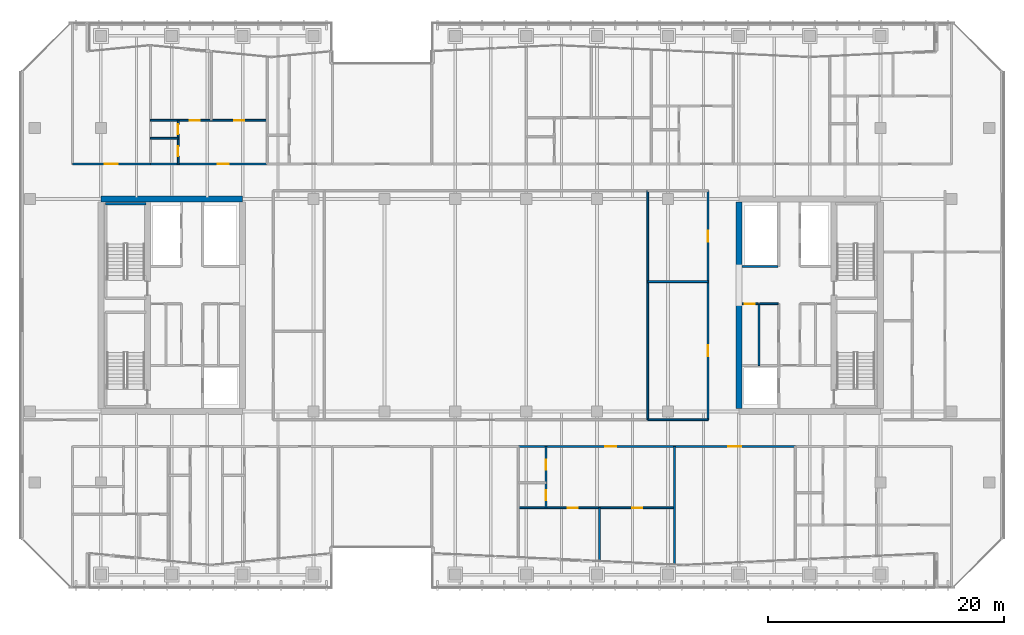
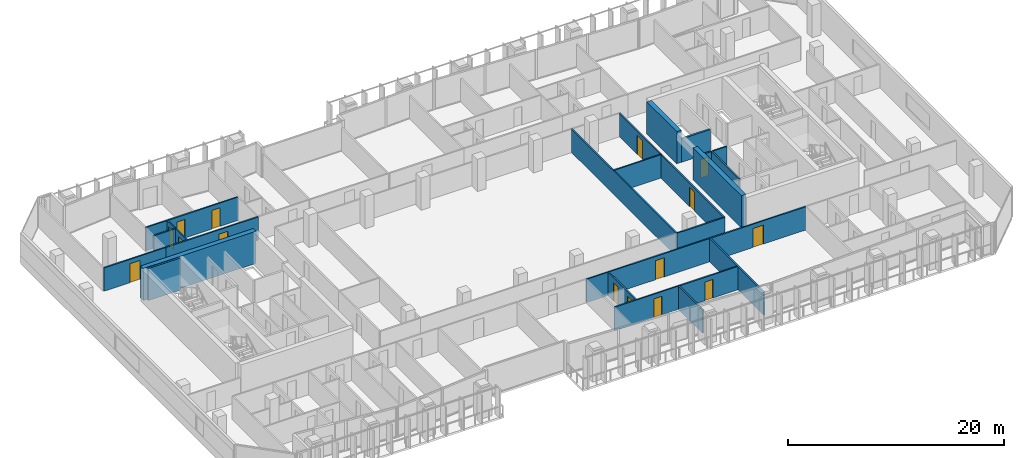
# One storey, part 29 of 39: 24 walls, 15 doors, 15 openings.
"""IFC4 building model written with IfcOpenShell, lengths in metres."""

from ifc_helpers import new_model, si_unit, direction, frame, frame_2d, origin, place, context, subcontext, project, spatial, rectangle, extrude, material, layer, layer_set, type_object, element, fill, save


model = new_model("IFC4")

# Units and contexts
model_context = context("Model", 3, precision=1e-05, world=origin(), true_north=direction((0.0, 1.0)))
body_context = subcontext(model_context, "Body", "Model", "MODEL_VIEW")
ifc_project = project(units=[si_unit("LENGTHUNIT", "METRE"), si_unit("AREAUNIT", "SQUARE_METRE"), si_unit("VOLUMEUNIT", "CUBIC_METRE"), si_unit("PLANEANGLEUNIT", "RADIAN"), si_unit("MASSUNIT", "GRAM", prefix="KILO")], contexts=[model_context])

# Site, building, storey
site_placement = place(None, origin())
site = spatial("IfcSite", under=ifc_project, at=site_placement, CompositionType="ELEMENT")
building_placement = place(site_placement, origin())
building = spatial("IfcBuilding", under=site, at=building_placement, Name="Tanjung Sevakor Pilgrim Tower", CompositionType="ELEMENT")
storey_placement = place(building_placement, frame((0.0, 0.0, 108.570068359375)))
storey = spatial("IfcBuildingStorey", under=building, at=storey_placement, Name="L30", CompositionType="ELEMENT", Elevation=108.570068359375)

# Walls
ifc_material_1 = material(Name="Concrete C60/75", Category="concrete")
ifc_layer_1 = layer(ifc_material_1, 0.5)
ifc_layer_set_1 = layer_set([ifc_layer_1], Name="WALL-CW-500")
wall_type_1 = type_object("IfcWallType", Name="WALL-CW-500", PredefinedType="SHEAR", material=ifc_layer_set_1)
wall_1_placement = place(storey_placement, frame((36.0, 42.60009765625, 0.0), z_axis=(0.0, 0.0, 1.0), x_axis=(-1.0, 0.0, 0.0)))
element("IfcWall", 1, at=wall_1_placement, inside=storey, type_object=wall_type_1, Name="L30 W Core North Shear Wall", PredefinedType="SHEAR", context=body_context, shape_type="SweptSolid", body=[
    extrude(rectangle(XDim=12.0, YDim=0.5, at=frame_2d((6.0, 0.0))), origin(), (0.0, 0.0, 1.0), 3.6298828125),
])
wall_2_placement = place(storey_placement, frame((78.0, 24.85009765625, 0.0), z_axis=(0.0, 0.0, 1.0), x_axis=(0.0, 1.0, 0.0)))
element("IfcWall", 2, at=wall_2_placement, inside=storey, type_object=wall_type_1, Name="L30 E Core Inner Shear Wall South", PredefinedType="SHEAR", context=body_context, shape_type="SweptSolid", body=[
    extrude(rectangle(XDim=8.949951171875, YDim=0.5, at=frame_2d((4.47509765625, 0.0))), origin(), (0.0, 0.0, 1.0), 3.6298828125),
])
wall_3_placement = place(storey_placement, frame((78.0, 36.800048828125, 0.0), z_axis=(0.0, 0.0, 1.0), x_axis=(0.0, 1.0, 0.0)))
element("IfcWall", 3, at=wall_3_placement, inside=storey, type_object=wall_type_1, Name="L30 E Core Inner Shear Wall North", PredefinedType="SHEAR", context=body_context, shape_type="SweptSolid", body=[
    extrude(rectangle(XDim=5.550048828125, YDim=0.5, at=frame_2d((2.77490234375, 0.0))), origin(), (0.0, 0.0, 1.0), 3.6298828125),
])
ifc_material_2 = material(Name="Concrete C40/50", Category="concrete")
ifc_layer_2 = layer(ifc_material_2, 0.14990234375)
ifc_layer_set_2 = layer_set([ifc_layer_2], Name="WT-COMP-150")
wall_type_2 = type_object("IfcWallType", Name="WT-COMP-150", PredefinedType="SOLIDWALL", material=ifc_layer_set_2)
wall_4_placement = place(storey_placement, frame((79.699951171875, 28.5, 0.0), z_axis=(0.0, 0.0, 1.0), x_axis=(0.0, 1.0, 0.0)))
element("IfcWall", 4, at=wall_4_placement, inside=storey, type_object=wall_type_2, Name="L30 Partition IW-L30-021", PredefinedType="SOLIDWALL", context=body_context, shape_type="SweptSolid", body=[
    extrude(rectangle(XDim=5.219970703125, YDim=0.14990234375, at=frame_2d((2.60986328125, 0.0))), origin(), (0.0, 0.0, 1.0), 2.6298828125),
])
wall_5_placement = place(storey_placement, frame((79.760009765625, 33.719970703125, 0.0), z_axis=(0.0, 0.0, 1.0), x_axis=(1.0, 0.0, 0.0)))
element("IfcWall", 5, at=wall_5_placement, inside=storey, type_object=wall_type_2, Name="L30 Partition IW-L30-022", PredefinedType="SOLIDWALL", context=body_context, shape_type="SweptSolid", body=[
    extrude(rectangle(XDim=1.56005859375, YDim=0.14990234375, at=frame_2d((0.780029296875, 0.0))), origin(), (0.0, 0.0, 1.0), 2.6298828125),
])

# Wall, opening, door
wall_6_placement = place(storey_placement, frame((78.27001953125, 33.719970703125, 0.0), z_axis=(0.0, 0.0, 1.0), x_axis=(1.0, 0.0, 0.0)))
wall_6 = element("IfcWall", 6, at=wall_6_placement, inside=storey, type_object=wall_type_2, Name="L30 Partition IW-L30-023", PredefinedType="SOLIDWALL", context=body_context, shape_type="SweptSolid", body=[
    extrude(rectangle(XDim=1.369873046875, YDim=0.14990234375, at=frame_2d((0.68505859375, 0.0))), origin(), (0.0, 0.0, 1.0), 2.6298828125),
])
opening_1_placement = place(wall_6_placement, frame((0.239990234375, 0.0, 0.0)))
opening_1 = element("IfcOpeningElement", 7, at=opening_1_placement, cuts=wall_6, Name="Opening ID-FD3", PredefinedType="OPENING", context=body_context, shape_type="SweptSolid", body=[
    extrude(rectangle(XDim=0.85009765625, YDim=2.10009765625, at=frame_2d((0.425048828125, 1.050048828125))), frame((0.0, 0.0849609375, 0.0), z_axis=(0.0, -1.0, 0.0), x_axis=(1.0, 0.0, 0.0)), (0.0, 0.0, 1.0), 0.169921875),
])
ifc_material_3 = material(Name="Fire-Rated Timber", Category="wood")
door_type_1 = type_object("IfcDoorType", Name="DT-FIRE-850", OperationType="NOTDEFINED", PredefinedType="DOOR", material=ifc_material_3)
door_1_placement = place(opening_1_placement, origin())
door_1 = element("IfcDoor", 8, at=door_1_placement, inside=storey, type_object=door_type_1, Name="L30 Service Store Door", OperationType="SINGLE_SWING_RIGHT", OverallHeight=2.10009765625, OverallWidth=0.85009765625, PredefinedType="DOOR", context=body_context, shape_type="SweptSolid", body=[
    extrude(rectangle(XDim=0.85009765625, YDim=2.10009765625, at=frame_2d((0.425048828125, 1.050048828125))), frame((0.0, 0.02490234375, 0.0), z_axis=(0.0, -1.0, 0.0), x_axis=(1.0, 0.0, 0.0)), (0.0, 0.0, 1.0), 0.050048828125),
])
fill(opening_1, door_1)

# Walls
wall_7_placement = place(storey_placement, frame((70.300048828125, 23.89990234375, 0.0), z_axis=(0.0, 0.0, 1.0), x_axis=(0.0, 1.0, 0.0)))
element("IfcWall", 9, at=wall_7_placement, inside=storey, type_object=wall_type_2, Name="L30 Partition IW-L30-037", PredefinedType="SOLIDWALL", context=body_context, shape_type="SweptSolid", body=[
    extrude(rectangle(XDim=19.400146484375, YDim=0.14990234375, at=frame_2d((9.7001953125, 0.0))), origin(), (0.0, 0.0, 1.0), 2.6298828125),
])
for number, where, z_axis, x_axis, name in (
    (10, (70.300048828125, 23.89990234375, 0.0), (0.0, 0.0, 1.0), (1.0, 0.0, 0.0), "L30 Partition IW-L30-038"),
    (11, (70.300048828125, 35.60009765625, 0.0), (0.0, 0.0, 1.0), (1.0, 0.0, 0.0), "L30 Partition IW-L30-039"),
):
    element("IfcWall", number, at=place(storey_placement, frame(where, z_axis=z_axis, x_axis=x_axis)), inside=storey, type_object=wall_type_2, Name=name, PredefinedType="SOLIDWALL", context=body_context, shape_type="SweptSolid", body=[
        extrude(rectangle(XDim=5.099853515625, YDim=0.14990234375, at=frame_2d((2.5498046875, 0.0))), origin(), (0.0, 0.0, 1.0), 2.6298828125),
    ])

# Wall, opening, door
wall_8_placement = place(storey_placement, frame((75.39990234375, 23.89990234375, 0.0), z_axis=(0.0, 0.0, 1.0), x_axis=(0.0, 1.0, 0.0)))
wall_8 = element("IfcWall", 12, at=wall_8_placement, inside=storey, type_object=wall_type_2, Name="L30 Partition IW-L30-040", PredefinedType="SOLIDWALL", context=body_context, shape_type="SweptSolid", body=[
    extrude(rectangle(XDim=11.7001953125, YDim=0.14990234375, at=frame_2d((5.85009765625, 0.0))), origin(), (0.0, 0.0, 1.0), 2.6298828125),
])
opening_2_placement = place(wall_8_placement, frame((5.375, 0.0, 0.0)))
opening_2 = element("IfcOpeningElement", 13, at=opening_2_placement, cuts=wall_8, Name="Opening ID-RM1", PredefinedType="OPENING", context=body_context, shape_type="SweptSolid", body=[
    extrude(rectangle(XDim=0.949951171875, YDim=2.14990234375, at=frame_2d((0.47509765625, 1.074951171875))), frame((0.0, 0.0849609375, 0.0), z_axis=(0.0, -1.0, 0.0), x_axis=(1.0, 0.0, 0.0)), (0.0, 0.0, 1.0), 0.169921875),
])
ifc_material_4 = material(Name="Hardwood Timber", Category="wood")
door_type_2 = type_object("IfcDoorType", Name="DT-INT-950", OperationType="NOTDEFINED", PredefinedType="DOOR", material=ifc_material_4)
door_2_placement = place(opening_2_placement, origin())
door_2 = element("IfcDoor", 14, at=door_2_placement, inside=storey, type_object=door_type_2, Name="L30 Female Ablution Door", OperationType="SINGLE_SWING_LEFT", OverallHeight=2.14990234375, OverallWidth=0.949951171875, PredefinedType="DOOR", context=body_context, shape_type="SweptSolid", body=[
    extrude(rectangle(XDim=0.949951171875, YDim=2.14990234375, at=frame_2d((0.47509765625, 1.074951171875))), frame((0.0, 0.02490234375, 0.0), z_axis=(0.0, -1.0, 0.0), x_axis=(1.0, 0.0, 0.0)), (0.0, 0.0, 1.0), 0.050048828125),
])
fill(opening_2, door_2)

wall_9_placement = place(storey_placement, frame((75.39990234375, 35.60009765625, 0.0), z_axis=(0.0, 0.0, 1.0), x_axis=(0.0, 1.0, 0.0)))
wall_9 = element("IfcWall", 15, at=wall_9_placement, inside=storey, type_object=wall_type_2, Name="L30 Partition IW-L30-042", PredefinedType="SOLIDWALL", context=body_context, shape_type="SweptSolid", body=[
    extrude(rectangle(XDim=7.699951171875, YDim=0.14990234375, at=frame_2d((3.85009765625, 0.0))), origin(), (0.0, 0.0, 1.0), 2.6298828125),
])
opening_3_placement = place(wall_9_placement, frame((3.375, 0.0, 0.0)))
opening_3 = element("IfcOpeningElement", 16, at=opening_3_placement, cuts=wall_9, Name="Opening ID-RM1", PredefinedType="OPENING", context=body_context, shape_type="SweptSolid", body=[
    extrude(rectangle(XDim=0.949951171875, YDim=2.14990234375, at=frame_2d((0.47509765625, 1.074951171875))), frame((0.0, 0.0849609375, 0.0), z_axis=(0.0, -1.0, 0.0), x_axis=(1.0, 0.0, 0.0)), (0.0, 0.0, 1.0), 0.169921875),
])
door_3_placement = place(opening_3_placement, origin())
door_3 = element("IfcDoor", 17, at=door_3_placement, inside=storey, type_object=door_type_2, Name="L30 Female Washroom Door", OperationType="SINGLE_SWING_RIGHT", OverallHeight=2.14990234375, OverallWidth=0.949951171875, PredefinedType="DOOR", context=body_context, shape_type="SweptSolid", body=[
    extrude(rectangle(XDim=0.949951171875, YDim=2.14990234375, at=frame_2d((0.47509765625, 1.074951171875))), frame((0.0, 0.02490234375, 0.0), z_axis=(0.0, -1.0, 0.0), x_axis=(1.0, 0.0, 0.0)), (0.0, 0.0, 1.0), 0.050048828125),
])
fill(opening_3, door_3)

# Wall
wall_10_placement = place(storey_placement, frame((72.557373046875, 11.639892578125, 0.0), z_axis=(0.0, 0.0, 1.0), x_axis=(0.0, 1.0, 0.0)))
element("IfcWall", 18, at=wall_10_placement, inside=storey, type_object=wall_type_2, Name="L30 Partition IW-L30-075", PredefinedType="SOLIDWALL", context=body_context, shape_type="SweptSolid", body=[
    extrude(rectangle(XDim=10.010009765625, YDim=0.14990234375, at=frame_2d((5.0048828125, 0.0))), origin(), (0.0, 0.0, 1.0), 2.6298828125),
])

# Wall, opening, door
wall_11_placement = place(storey_placement, frame((59.333251953125, 21.64990234375, 0.0), z_axis=(0.0, 0.0, 1.0), x_axis=(1.0, 0.0, 0.0)))
wall_11 = element("IfcWall", 19, at=wall_11_placement, inside=storey, type_object=wall_type_2, Name="L30 Partition IW-L30-080", PredefinedType="SOLIDWALL", context=body_context, shape_type="SweptSolid", body=[
    extrude(rectangle(XDim=13.22412109375, YDim=0.14990234375, at=frame_2d((6.612060546875, 0.0))), origin(), (0.0, 0.0, 1.0), 2.6298828125),
])
opening_4_placement = place(wall_11_placement, frame((7.35205078125, 0.0, 0.0)))
opening_4 = element("IfcOpeningElement", 20, at=opening_4_placement, cuts=wall_11, Name="Opening ID-FD2", PredefinedType="OPENING", context=body_context, shape_type="SweptSolid", body=[
    extrude(rectangle(XDim=0.949951171875, YDim=2.14990234375, at=frame_2d((0.47509765625, 1.074951171875))), frame((0.0, 0.0849609375, 0.0), z_axis=(0.0, -1.0, 0.0), x_axis=(1.0, 0.0, 0.0)), (0.0, 0.0, 1.0), 0.169921875),
])
ifc_material_5 = material(Name="Fire-Rated Timber", Category="wood")
door_type_3 = type_object("IfcDoorType", Name="DT-FIRE-950", OperationType="NOTDEFINED", PredefinedType="DOOR", material=ifc_material_5)
door_4_placement = place(opening_4_placement, origin())
door_4 = element("IfcDoor", 21, at=door_4_placement, inside=storey, type_object=door_type_3, Name="Suite Entrance", OperationType="SINGLE_SWING_LEFT", OverallHeight=2.14990234375, OverallWidth=0.949951171875, PredefinedType="DOOR", context=body_context, shape_type="SweptSolid", body=[
    extrude(rectangle(XDim=0.949951171875, YDim=2.14990234375, at=frame_2d((0.47509765625, 1.074951171875))), frame((0.0, 0.02490234375, 0.0), z_axis=(0.0, -1.0, 0.0), x_axis=(1.0, 0.0, 0.0)), (0.0, 0.0, 1.0), 0.050048828125),
])
fill(opening_4, door_4)

wall_12_placement = place(storey_placement, frame((72.557373046875, 21.64990234375, 0.0), z_axis=(0.0, 0.0, 1.0), x_axis=(1.0, 0.0, 0.0)))
wall_12 = element("IfcWall", 22, at=wall_12_placement, inside=storey, type_object=wall_type_2, Name="L30 Partition IW-L30-082", PredefinedType="SOLIDWALL", context=body_context, shape_type="SweptSolid", body=[
    extrude(rectangle(XDim=10.218505859375, YDim=0.14990234375, at=frame_2d((5.109375, 0.0))), origin(), (0.0, 0.0, 1.0), 2.6298828125),
])
opening_5_placement = place(wall_12_placement, frame((4.559326171875, 0.0, 0.0)))
opening_5 = element("IfcOpeningElement", 23, at=opening_5_placement, cuts=wall_12, Name="Opening ID-FD0", PredefinedType="OPENING", context=body_context, shape_type="SweptSolid", body=[
    extrude(rectangle(XDim=1.10009765625, YDim=2.14990234375, at=frame_2d((0.550048828125, 1.074951171875))), frame((0.0, 0.0849609375, 0.0), z_axis=(0.0, -1.0, 0.0), x_axis=(1.0, 0.0, 0.0)), (0.0, 0.0, 1.0), 0.169921875),
])
ifc_material_6 = material(Name="Fire-Rated Steel S355J2", Category="steel")
door_type_4 = type_object("IfcDoorType", Name="DT-FIRE-1100", OperationType="NOTDEFINED", PredefinedType="DOOR", material=ifc_material_6)
door_5_placement = place(opening_5_placement, origin())
door_5 = element("IfcDoor", 24, at=door_5_placement, inside=storey, type_object=door_type_4, Name="Communal Lounge Door", OperationType="SINGLE_SWING_RIGHT", OverallHeight=2.14990234375, OverallWidth=1.10009765625, PredefinedType="DOOR", context=body_context, shape_type="SweptSolid", body=[
    extrude(rectangle(XDim=1.10009765625, YDim=2.14990234375, at=frame_2d((0.550048828125, 1.074951171875))), frame((0.0, 0.02490234375, 0.0), z_axis=(0.0, -1.0, 0.0), x_axis=(1.0, 0.0, 0.0)), (0.0, 0.0, 1.0), 0.050048828125),
])
fill(opening_5, door_5)

wall_13_placement = place(storey_placement, frame((21.60009765625, 45.550048828125, 0.0), z_axis=(0.0, 0.0, 1.0), x_axis=(1.0, 0.0, 0.0)))
wall_13 = element("IfcWall", 25, at=wall_13_placement, inside=storey, type_object=wall_type_2, Name="L30 Partition IW-L30-091", PredefinedType="SOLIDWALL", context=body_context, shape_type="SweptSolid", body=[
    extrude(rectangle(XDim=6.593994140625, YDim=0.14990234375, at=frame_2d((3.296875, 0.0))), origin(), (0.0, 0.0, 1.0), 2.6298828125),
])
opening_6_placement = place(wall_13_placement, frame((2.7470703125, 0.0, 0.0)))
opening_6 = element("IfcOpeningElement", 26, at=opening_6_placement, cuts=wall_13, Name="Opening ID-FD0", PredefinedType="OPENING", context=body_context, shape_type="SweptSolid", body=[
    extrude(rectangle(XDim=1.10009765625, YDim=2.14990234375, at=frame_2d((0.550048828125, 1.074951171875))), frame((0.0, 0.0849609375, 0.0), z_axis=(0.0, -1.0, 0.0), x_axis=(1.0, 0.0, 0.0)), (0.0, 0.0, 1.0), 0.169921875),
])
door_6_placement = place(opening_6_placement, origin())
door_6 = element("IfcDoor", 27, at=door_6_placement, inside=storey, type_object=door_type_4, Name="Seminar Room Door", OperationType="SINGLE_SWING_LEFT", OverallHeight=2.14990234375, OverallWidth=1.10009765625, PredefinedType="DOOR", context=body_context, shape_type="SweptSolid", body=[
    extrude(rectangle(XDim=1.10009765625, YDim=2.14990234375, at=frame_2d((0.550048828125, 1.074951171875))), frame((0.0, 0.02490234375, 0.0), z_axis=(0.0, -1.0, 0.0), x_axis=(1.0, 0.0, 0.0)), (0.0, 0.0, 1.0), 0.050048828125),
])
fill(opening_6, door_6)

wall_14_placement = place(storey_placement, frame((28.194091796875, 45.550048828125, 0.0), z_axis=(0.0, 0.0, 1.0), x_axis=(1.0, 0.0, 0.0)))
wall_14 = element("IfcWall", 28, at=wall_14_placement, inside=storey, type_object=wall_type_2, Name="L30 Partition IW-L30-097", PredefinedType="SOLIDWALL", context=body_context, shape_type="SweptSolid", body=[
    extrude(rectangle(XDim=9.890869140625, YDim=0.14990234375, at=frame_2d((4.9453125, 0.0))), origin(), (0.0, 0.0, 1.0), 2.6298828125),
])
opening_7_placement = place(wall_14_placement, frame((5.685546875, 0.0, 0.0)))
opening_7 = element("IfcOpeningElement", 29, at=opening_7_placement, cuts=wall_14, Name="Opening ID-FD2", PredefinedType="OPENING", context=body_context, shape_type="SweptSolid", body=[
    extrude(rectangle(XDim=0.949951171875, YDim=2.14990234375, at=frame_2d((0.47509765625, 1.074951171875))), frame((0.0, 0.0849609375, 0.0), z_axis=(0.0, -1.0, 0.0), x_axis=(1.0, 0.0, 0.0)), (0.0, 0.0, 1.0), 0.169921875),
])
door_7_placement = place(opening_7_placement, origin())
door_7 = element("IfcDoor", 30, at=door_7_placement, inside=storey, type_object=door_type_3, Name="Suite Entrance", OperationType="SINGLE_SWING_RIGHT", OverallHeight=2.14990234375, OverallWidth=0.949951171875, PredefinedType="DOOR", context=body_context, shape_type="SweptSolid", body=[
    extrude(rectangle(XDim=0.949951171875, YDim=2.14990234375, at=frame_2d((0.47509765625, 1.074951171875))), frame((0.0, 0.02490234375, 0.0), z_axis=(0.0, -1.0, 0.0), x_axis=(1.0, 0.0, 0.0)), (0.0, 0.0, 1.0), 0.050048828125),
])
fill(opening_7, door_7)

# Walls
ifc_material_7 = material(Name="Concrete C40/50", Category="concrete")
ifc_layer_3 = layer(ifc_material_7, 0.199951171875)
ifc_layer_set_3 = layer_set([ifc_layer_3], Name="WT-FIRE-200")
wall_type_3 = type_object("IfcWallType", Name="WT-FIRE-200", PredefinedType="SOLIDWALL", material=ifc_layer_set_3)
wall_15_placement = place(storey_placement, frame((27.800048828125, 42.199951171875, 0.0), z_axis=(0.0, 0.0, 1.0), x_axis=(-1.0, 0.0, 0.0)))
element("IfcWall", 31, at=wall_15_placement, inside=storey, type_object=wall_type_3, Name="L30 TS-W2 Shaft Wall 2", PredefinedType="SOLIDWALL", context=body_context, shape_type="SweptSolid", body=[
    extrude(rectangle(XDim=3.400146484375, YDim=0.199951171875, at=frame_2d((1.7001953125, 0.0))), origin(), (0.0, 0.0, 1.0), 3.6298828125),
])
ifc_material_8 = material(Name="Concrete C40/50", Category="concrete")
ifc_layer_4 = layer(ifc_material_8, 0.199951171875)
ifc_layer_set_4 = layer_set([ifc_layer_4], Name="WT-FPRT-200")
wall_type_4 = type_object("IfcWallType", Name="WT-FPRT-200", PredefinedType="SOLIDWALL", material=ifc_layer_set_4)
wall_16_placement = place(storey_placement, frame((78.27001953125, 36.8798828125, 0.0), z_axis=(0.0, 0.0, 1.0), x_axis=(1.0, 0.0, 0.0)))
element("IfcWall", 32, at=wall_16_placement, inside=storey, type_object=wall_type_4, Name="L30 Partition IW-L30-027", PredefinedType="SOLIDWALL", context=body_context, shape_type="SweptSolid", body=[
    extrude(rectangle(XDim=3.050048828125, YDim=0.199951171875, at=frame_2d((1.52490234375, 0.0))), origin(), (0.0, 0.0, 1.0), 2.6298828125),
])

# Wall, openings, doors
ifc_material_9 = material(Name="Gypsum Board Partition", Category="gypsum board")
ifc_layer_5 = layer(ifc_material_9, 0.14990234375)
ifc_layer_set_5 = layer_set([ifc_layer_5], Name="WT-PART-150")
wall_type_5 = type_object("IfcWallType", Name="WT-PART-150", PredefinedType="PARTITIONING", material=ifc_layer_set_5)
wall_17_placement = place(storey_placement, frame((61.68310546875, 16.45068359375, 0.0), z_axis=(0.0, 0.0, 1.0), x_axis=(0.0, 1.0, 0.0)))
wall_17 = element("IfcWall", 33, at=wall_17_placement, inside=storey, type_object=wall_type_5, Name="L30 Partition IW-L30-077", PredefinedType="PARTITIONING", context=body_context, shape_type="SweptSolid", body=[
    extrude(rectangle(XDim=5.19921875, YDim=0.14990234375, at=frame_2d((2.599609375, 0.0))), origin(), (0.0, 0.0, 1.0), 2.6298828125),
])
opening_8_placement = place(wall_17_placement, frame((0.640869140625, 0.0, 0.0)))
opening_8 = element("IfcOpeningElement", 34, at=opening_8_placement, cuts=wall_17, Name="Opening ID-WC1", PredefinedType="OPENING", context=body_context, shape_type="SweptSolid", body=[
    extrude(rectangle(XDim=0.85009765625, YDim=2.10009765625, at=frame_2d((0.425048828125, 1.050048828125))), frame((0.0, 0.0849609375, 0.0), z_axis=(0.0, -1.0, 0.0), x_axis=(1.0, 0.0, 0.0)), (0.0, 0.0, 1.0), 0.169921875),
])
opening_9_placement = place(wall_17_placement, frame((3.240478515625, 0.0, 0.0)))
opening_9 = element("IfcOpeningElement", 35, at=opening_9_placement, cuts=wall_17, Name="Opening ID-WC1", PredefinedType="OPENING", context=body_context, shape_type="SweptSolid", body=[
    extrude(rectangle(XDim=0.85009765625, YDim=2.10009765625, at=frame_2d((0.425048828125, 1.050048828125))), frame((0.0, 0.0849609375, 0.0), z_axis=(0.0, -1.0, 0.0), x_axis=(1.0, 0.0, 0.0)), (0.0, 0.0, 1.0), 0.169921875),
])
ifc_material_10 = material(Name="Moisture-Resistant Timber", Category="wood")
door_type_5 = type_object("IfcDoorType", Name="DT-INT-850", OperationType="NOTDEFINED", PredefinedType="DOOR", material=ifc_material_10)
door_8_placement = place(opening_8_placement, origin())
door_8 = element("IfcDoor", 36, at=door_8_placement, inside=storey, type_object=door_type_5, Name="Suite Bathroom Door", OperationType="SINGLE_SWING_LEFT", OverallHeight=2.10009765625, OverallWidth=0.85009765625, PredefinedType="DOOR", context=body_context, shape_type="SweptSolid", body=[
    extrude(rectangle(XDim=0.85009765625, YDim=2.10009765625, at=frame_2d((0.425048828125, 1.050048828125))), frame((0.0, 0.02490234375, 0.0), z_axis=(0.0, -1.0, 0.0), x_axis=(1.0, 0.0, 0.0)), (0.0, 0.0, 1.0), 0.050048828125),
])
fill(opening_8, door_8)
door_9_placement = place(opening_9_placement, origin())
door_9 = element("IfcDoor", 37, at=door_9_placement, inside=storey, type_object=door_type_5, Name="Suite Kitchenette Door", OperationType="SINGLE_SWING_RIGHT", OverallHeight=2.10009765625, OverallWidth=0.85009765625, PredefinedType="DOOR", context=body_context, shape_type="SweptSolid", body=[
    extrude(rectangle(XDim=0.85009765625, YDim=2.10009765625, at=frame_2d((0.425048828125, 1.050048828125))), frame((0.0, 0.02490234375, 0.0), z_axis=(0.0, -1.0, 0.0), x_axis=(1.0, 0.0, 0.0)), (0.0, 0.0, 1.0), 0.050048828125),
])
fill(opening_9, door_9)

# Wall
wall_18_placement = place(storey_placement, frame((66.209716796875, 11.93798828125, 0.0), z_axis=(0.0, 0.0, 1.0), x_axis=(0.0, 1.0, 0.0)))
element("IfcWall", 38, at=wall_18_placement, inside=storey, type_object=wall_type_5, Name="L30 Partition IW-L30-078", PredefinedType="PARTITIONING", context=body_context, shape_type="SweptSolid", body=[
    extrude(rectangle(XDim=4.5126953125, YDim=0.14990234375, at=frame_2d((2.25634765625, 0.0))), origin(), (0.0, 0.0, 1.0), 2.6298828125),
])

# Wall, openings, doors
wall_19_placement = place(storey_placement, frame((59.333251953125, 16.45068359375, 0.0), z_axis=(0.0, 0.0, 1.0), x_axis=(1.0, 0.0, 0.0)))
wall_19 = element("IfcWall", 39, at=wall_19_placement, inside=storey, type_object=wall_type_5, Name="L30 Partition IW-L30-079", PredefinedType="PARTITIONING", context=body_context, shape_type="SweptSolid", body=[
    extrude(rectangle(XDim=13.22412109375, YDim=0.14990234375, at=frame_2d((6.612060546875, 0.0))), origin(), (0.0, 0.0, 1.0), 2.6298828125),
])
opening_10_placement = place(wall_19_placement, frame((4.188232421875, 0.0, 0.0)))
opening_10 = element("IfcOpeningElement", 40, at=opening_10_placement, cuts=wall_19, Name="Opening ID-WC1", PredefinedType="OPENING", context=body_context, shape_type="SweptSolid", body=[
    extrude(rectangle(XDim=0.85009765625, YDim=2.10009765625, at=frame_2d((0.425048828125, 1.050048828125))), frame((0.0, 0.0849609375, 0.0), z_axis=(0.0, -1.0, 0.0), x_axis=(1.0, 0.0, 0.0)), (0.0, 0.0, 1.0), 0.169921875),
])
opening_11_placement = place(wall_19_placement, frame((9.625244140625, 0.0, 0.0)))
opening_11 = element("IfcOpeningElement", 41, at=opening_11_placement, cuts=wall_19, Name="Opening ID-WC1", PredefinedType="OPENING", context=body_context, shape_type="SweptSolid", body=[
    extrude(rectangle(XDim=0.85009765625, YDim=2.10009765625, at=frame_2d((0.425048828125, 1.050048828125))), frame((0.0, 0.0849609375, 0.0), z_axis=(0.0, -1.0, 0.0), x_axis=(1.0, 0.0, 0.0)), (0.0, 0.0, 1.0), 0.169921875),
])
door_10_placement = place(opening_10_placement, origin())
door_10 = element("IfcDoor", 42, at=door_10_placement, inside=storey, type_object=door_type_5, Name="Suite Bedroom 1 Door", OperationType="SINGLE_SWING_LEFT", OverallHeight=2.10009765625, OverallWidth=0.85009765625, PredefinedType="DOOR", context=body_context, shape_type="SweptSolid", body=[
    extrude(rectangle(XDim=0.85009765625, YDim=2.10009765625, at=frame_2d((0.425048828125, 1.050048828125))), frame((0.0, 0.02490234375, 0.0), z_axis=(0.0, -1.0, 0.0), x_axis=(1.0, 0.0, 0.0)), (0.0, 0.0, 1.0), 0.050048828125),
])
fill(opening_10, door_10)
door_11_placement = place(opening_11_placement, origin())
door_11 = element("IfcDoor", 43, at=door_11_placement, inside=storey, type_object=door_type_5, Name="Suite Bedroom 2 Door", OperationType="SINGLE_SWING_RIGHT", OverallHeight=2.10009765625, OverallWidth=0.85009765625, PredefinedType="DOOR", context=body_context, shape_type="SweptSolid", body=[
    extrude(rectangle(XDim=0.85009765625, YDim=2.10009765625, at=frame_2d((0.425048828125, 1.050048828125))), frame((0.0, 0.02490234375, 0.0), z_axis=(0.0, -1.0, 0.0), x_axis=(1.0, 0.0, 0.0)), (0.0, 0.0, 1.0), 0.050048828125),
])
fill(opening_11, door_11)

# Wall
wall_20_placement = place(storey_placement, frame((28.194091796875, 47.73291015625, 0.0), z_axis=(0.0, 0.0, 1.0), x_axis=(1.0, 0.0, 0.0)))
element("IfcWall", 44, at=wall_20_placement, inside=storey, type_object=wall_type_5, Name="L30 Partition IW-L30-093", PredefinedType="PARTITIONING", context=body_context, shape_type="SweptSolid", body=[
    extrude(rectangle(XDim=2.349853515625, YDim=0.14990234375, at=frame_2d((1.1748046875, 0.0))), origin(), (0.0, 0.0, 1.0), 2.6298828125),
])

# Wall, openings, doors
wall_21_placement = place(storey_placement, frame((30.5439453125, 45.550048828125, 0.0), z_axis=(0.0, 0.0, 1.0), x_axis=(0.0, 1.0, 0.0)))
wall_21 = element("IfcWall", 45, at=wall_21_placement, inside=storey, type_object=wall_type_5, Name="L30 Partition IW-L30-094", PredefinedType="PARTITIONING", context=body_context, shape_type="SweptSolid", body=[
    extrude(rectangle(XDim=3.699951171875, YDim=0.14990234375, at=frame_2d((1.85009765625, 0.0))), origin(), (0.0, 0.0, 1.0), 2.6298828125),
])
opening_12_placement = place(wall_21_placement, frame((0.66650390625, 0.0, 0.0)))
opening_12 = element("IfcOpeningElement", 46, at=opening_12_placement, cuts=wall_21, Name="Opening ID-WC1", PredefinedType="OPENING", context=body_context, shape_type="SweptSolid", body=[
    extrude(rectangle(XDim=0.85009765625, YDim=2.10009765625, at=frame_2d((0.425048828125, 1.050048828125))), frame((0.0, 0.0849609375, 0.0), z_axis=(0.0, -1.0, 0.0), x_axis=(1.0, 0.0, 0.0)), (0.0, 0.0, 1.0), 0.169921875),
])
opening_13_placement = place(wall_21_placement, frame((2.5166015625, 0.0, 0.0)))
opening_13 = element("IfcOpeningElement", 47, at=opening_13_placement, cuts=wall_21, Name="Opening ID-WC1", PredefinedType="OPENING", context=body_context, shape_type="SweptSolid", body=[
    extrude(rectangle(XDim=0.85009765625, YDim=2.10009765625, at=frame_2d((0.425048828125, 1.050048828125))), frame((0.0, 0.0849609375, 0.0), z_axis=(0.0, -1.0, 0.0), x_axis=(1.0, 0.0, 0.0)), (0.0, 0.0, 1.0), 0.169921875),
])
door_12_placement = place(opening_12_placement, origin())
door_12 = element("IfcDoor", 48, at=door_12_placement, inside=storey, type_object=door_type_5, Name="Suite Kitchenette Door", OperationType="SINGLE_SWING_RIGHT", OverallHeight=2.10009765625, OverallWidth=0.85009765625, PredefinedType="DOOR", context=body_context, shape_type="SweptSolid", body=[
    extrude(rectangle(XDim=0.85009765625, YDim=2.10009765625, at=frame_2d((0.425048828125, 1.050048828125))), frame((0.0, 0.02490234375, 0.0), z_axis=(0.0, -1.0, 0.0), x_axis=(1.0, 0.0, 0.0)), (0.0, 0.0, 1.0), 0.050048828125),
])
fill(opening_12, door_12)
door_13_placement = place(opening_13_placement, origin())
door_13 = element("IfcDoor", 49, at=door_13_placement, inside=storey, type_object=door_type_5, Name="Suite Bathroom Door", OperationType="SINGLE_SWING_LEFT", OverallHeight=2.10009765625, OverallWidth=0.85009765625, PredefinedType="DOOR", context=body_context, shape_type="SweptSolid", body=[
    extrude(rectangle(XDim=0.85009765625, YDim=2.10009765625, at=frame_2d((0.425048828125, 1.050048828125))), frame((0.0, 0.02490234375, 0.0), z_axis=(0.0, -1.0, 0.0), x_axis=(1.0, 0.0, 0.0)), (0.0, 0.0, 1.0), 0.050048828125),
])
fill(opening_13, door_13)

wall_22_placement = place(storey_placement, frame((28.194091796875, 49.25, 0.0), z_axis=(0.0, 0.0, 1.0), x_axis=(1.0, 0.0, 0.0)))
wall_22 = element("IfcWall", 50, at=wall_22_placement, inside=storey, type_object=wall_type_5, Name="L30 Partition IW-L30-096", PredefinedType="PARTITIONING", context=body_context, shape_type="SweptSolid", body=[
    extrude(rectangle(XDim=9.890869140625, YDim=0.14990234375, at=frame_2d((4.9453125, 0.0))), origin(), (0.0, 0.0, 1.0), 2.6298828125),
])
opening_14_placement = place(wall_22_placement, frame((3.321533203125, 0.0, 0.0)))
opening_14 = element("IfcOpeningElement", 51, at=opening_14_placement, cuts=wall_22, Name="Opening ID-WC1", PredefinedType="OPENING", context=body_context, shape_type="SweptSolid", body=[
    extrude(rectangle(XDim=0.85009765625, YDim=2.10009765625, at=frame_2d((0.425048828125, 1.050048828125))), frame((0.0, 0.0849609375, 0.0), z_axis=(0.0, -1.0, 0.0), x_axis=(1.0, 0.0, 0.0)), (0.0, 0.0, 1.0), 0.169921875),
])
opening_15_placement = place(wall_22_placement, frame((7.09228515625, 0.0, 0.0)))
opening_15 = element("IfcOpeningElement", 52, at=opening_15_placement, cuts=wall_22, Name="Opening ID-WC1", PredefinedType="OPENING", context=body_context, shape_type="SweptSolid", body=[
    extrude(rectangle(XDim=0.85009765625, YDim=2.10009765625, at=frame_2d((0.425048828125, 1.050048828125))), frame((0.0, 0.0849609375, 0.0), z_axis=(0.0, -1.0, 0.0), x_axis=(1.0, 0.0, 0.0)), (0.0, 0.0, 1.0), 0.169921875),
])
door_14_placement = place(opening_14_placement, origin())
door_14 = element("IfcDoor", 53, at=door_14_placement, inside=storey, type_object=door_type_5, Name="Suite Bedroom 1 Door", OperationType="SINGLE_SWING_RIGHT", OverallHeight=2.10009765625, OverallWidth=0.85009765625, PredefinedType="DOOR", context=body_context, shape_type="SweptSolid", body=[
    extrude(rectangle(XDim=0.85009765625, YDim=2.10009765625, at=frame_2d((0.425048828125, 1.050048828125))), frame((0.0, 0.02490234375, 0.0), z_axis=(0.0, -1.0, 0.0), x_axis=(1.0, 0.0, 0.0)), (0.0, 0.0, 1.0), 0.050048828125),
])
fill(opening_14, door_14)
door_15_placement = place(opening_15_placement, origin())
door_15 = element("IfcDoor", 54, at=door_15_placement, inside=storey, type_object=door_type_5, Name="Suite Bedroom 2 Door", OperationType="SINGLE_SWING_LEFT", OverallHeight=2.10009765625, OverallWidth=0.85009765625, PredefinedType="DOOR", context=body_context, shape_type="SweptSolid", body=[
    extrude(rectangle(XDim=0.85009765625, YDim=2.10009765625, at=frame_2d((0.425048828125, 1.050048828125))), frame((0.0, 0.02490234375, 0.0), z_axis=(0.0, -1.0, 0.0), x_axis=(1.0, 0.0, 0.0)), (0.0, 0.0, 1.0), 0.050048828125),
])
fill(opening_15, door_15)

save(model, "model.ifc")
